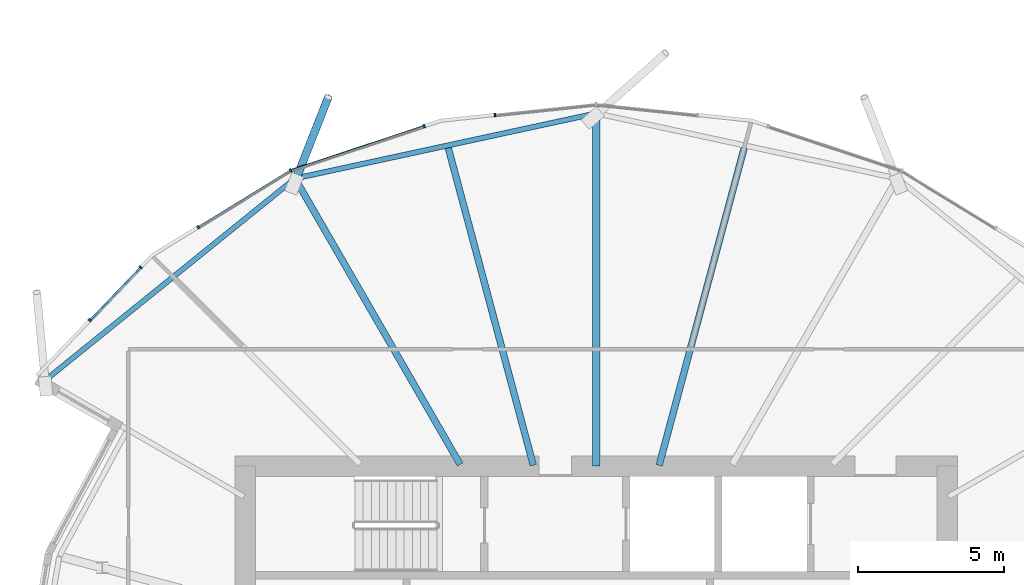
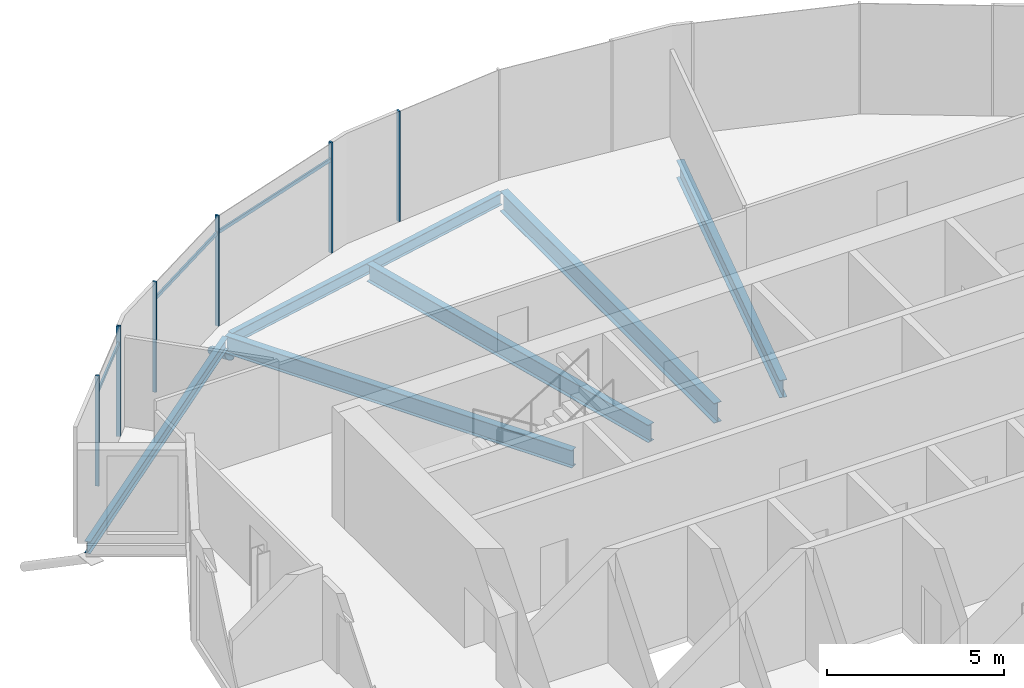
# One storey, part 9 of 39: 10 members, 6 beams, 1 element without a shape of its own.
"""IFC4 building model written with IfcOpenShell, lengths in metres."""

from ifc_helpers import new_model, si_unit, direction, frame, origin, origin_2d, place, context, subcontext, project, spatial, rectangle, hollow_circle, i_section, extrude, clip, halfspace, material, material_profile, profile_set, type_object, element, aggregate, save


model = new_model("IFC4")

# Units and contexts
model_context = context("Model", 3, precision=1e-05, world=origin(), true_north=direction((0.0, 1.0)))
body_context = subcontext(model_context, "Body", "Model", "MODEL_VIEW")
ifc_project = project(units=[si_unit("LENGTHUNIT", "METRE"), si_unit("AREAUNIT", "SQUARE_METRE"), si_unit("VOLUMEUNIT", "CUBIC_METRE"), si_unit("PLANEANGLEUNIT", "RADIAN"), si_unit("MASSUNIT", "GRAM", prefix="KILO")], contexts=[model_context])

# Site, building, storey
site_placement = place(None, origin())
site = spatial("IfcSite", under=ifc_project, at=site_placement, CompositionType="ELEMENT")
building_placement = place(site_placement, origin())
building = spatial("IfcBuilding", under=site, at=building_placement, Name="Rimbun Link Towers", CompositionType="ELEMENT")
storey_placement = place(building_placement, frame((0.0, 0.0, 139.199951171875)))
storey = spatial("IfcBuildingStorey", under=building, at=storey_placement, Name="L33", CompositionType="ELEMENT", Elevation=139.199951171875)

# Curtain wall, members
ifc_material_1 = material(Name="Aluminium 6063-T6 and low-iron glass", Category="aluminium")
curtain_wall_type = type_object("IfcCurtainWallType", Name="CW4 link block wall", PredefinedType="NOTDEFINED", material=ifc_material_1)
curtain_wall_placement = place(storey_placement, origin())
curtain_wall = element("IfcCurtainWall", 1, at=curtain_wall_placement, inside=storey, type_object=curtain_wall_type, Name="CW4 L33 T1", PredefinedType="NOTDEFINED")
ifc_material_2 = material(Name="Aluminium 6063-T6", Category="aluminium")
ifc_material_profile_1 = material_profile(ifc_material_2, rectangle(XDim=0.1201171875, YDim=0.06005859375, at=origin_2d()), Name="MULLION 60X120")
ifc_profile_set_1 = profile_set([ifc_material_profile_1], Name="Aluminium 6063-T6")
member_type_1 = type_object("IfcMemberType", Name="CW4 mullion 60X120", PredefinedType="MULLION", material=ifc_profile_set_1)
member_1_placement = place(storey_placement, frame((-35.21044921875, 20.011474609375, 0.0), z_axis=(0.0, 0.0, 1.0), x_axis=(-0.104745411125, 0.994499069305, 0.0)))
member_1 = element("IfcMember", 2, at=member_1_placement, type_object=member_type_1, Name="CW4 mullion", PredefinedType="MULLION", context=body_context, shape_type="SweptSolid", body=[
    extrude(rectangle(XDim=0.1201171875, YDim=0.06005859375, at=origin_2d()), origin(), (0.0, 0.0, 1.0), 3.800048828125),
])
member_2_placement = place(storey_placement, frame((-42.20068359375, 18.11181640625, 0.0), z_axis=(0.0, 0.0, 1.0), x_axis=(-0.421697332152, 0.906736654192, 0.0)))
member_2 = element("IfcMember", 3, at=member_2_placement, type_object=member_type_1, Name="CW4 mullion", PredefinedType="MULLION", context=body_context, shape_type="SweptSolid", body=[
    extrude(rectangle(XDim=0.1201171875, YDim=0.06005859375, at=origin_2d()), origin(), (0.0, 0.0, 1.0), 3.800048828125),
])
member_3_placement = place(storey_placement, frame((-37.632568359375, 19.626220703125, 0.0), z_axis=(0.0, 0.0, 1.0), x_axis=(-0.314567961741, 0.949234953763, 0.0)))
member_3 = element("IfcMember", 4, at=member_3_placement, type_object=member_type_1, Name="CW4 mullion", PredefinedType="MULLION", context=body_context, shape_type="SweptSolid", body=[
    extrude(rectangle(XDim=0.1201171875, YDim=0.06005859375, at=origin_2d()), origin(), (0.0, 0.0, 1.0), 3.800048828125),
])
member_4_placement = place(storey_placement, frame((-45.359130859375, 16.17333984375, 0.0), z_axis=(0.0, 0.0, 1.0), x_axis=(-0.523225378089, 0.852194346217, 0.0)))
member_4 = element("IfcMember", 5, at=member_4_placement, type_object=member_type_1, Name="CW4 mullion", PredefinedType="MULLION", context=body_context, shape_type="SweptSolid", body=[
    extrude(rectangle(XDim=0.1201171875, YDim=0.06005859375, at=origin_2d()), origin(), (0.0, 0.0, 1.0), 3.800048828125),
])
member_5_placement = place(storey_placement, frame((-49.066162109375, 12.98583984375, 0.0), z_axis=(0.0, 0.0, 1.0), x_axis=(-0.721858090698, 0.692041109252, 0.0)))
member_5 = element("IfcMember", 6, at=member_5_placement, type_object=member_type_1, Name="CW4 mullion", PredefinedType="MULLION", context=body_context, shape_type="SweptSolid", body=[
    extrude(rectangle(XDim=0.1201171875, YDim=0.06005859375, at=origin_2d()), origin(), (0.0, 0.0, 1.0), 3.800048828125),
])
member_6_placement = place(storey_placement, frame((-47.328125, 14.798583984375, 0.0), z_axis=(0.0, 0.0, 1.0), x_axis=(-0.721858090698, 0.692041109252, 0.0)))
member_6 = element("IfcMember", 7, at=member_6_placement, type_object=member_type_1, Name="CW4 mullion", PredefinedType="MULLION", context=body_context, shape_type="SweptSolid", body=[
    extrude(rectangle(XDim=0.1201171875, YDim=0.06005859375, at=origin_2d()), origin(), (0.0, 0.0, 1.0), 3.800048828125),
])
ifc_material_3 = material(Name="Aluminium 6063-T6", Category="aluminium")
ifc_material_profile_2 = material_profile(ifc_material_3, rectangle(XDim=0.06005859375, YDim=0.1201171875, at=origin_2d()), Name="TRANSOM 60X120")
ifc_profile_set_2 = profile_set([ifc_material_profile_2], Name="Aluminium 6063-T6")
member_type_2 = type_object("IfcMemberType", Name="CW4 transom 60X120", PredefinedType="USERDEFINED", material=ifc_profile_set_2)
member_7_placement = place(storey_placement, frame((-42.165283203125, 18.1220703125, 3.199951171875), z_axis=(0.949232304469, 0.314575956093, 0.0), x_axis=(-0.314575956093, 0.949232304469, 0.0)))
member_7 = element("IfcMember", 8, at=member_7_placement, type_object=member_type_2, Name="CW4 transom", ObjectType="TRANSOM", PredefinedType="USERDEFINED", context=body_context, shape_type="SweptSolid", body=[
    extrude(rectangle(XDim=0.06005859375, YDim=0.1201171875, at=origin_2d()), origin(), (0.0, 0.0, 1.0), 4.745849609375),
])
member_8_placement = place(storey_placement, frame((-45.33251953125, 16.187255859375, 3.199951171875), z_axis=(0.852185396319, 0.523239954802, 0.0), x_axis=(-0.523239954802, 0.852185396319, 0.0)))
member_8 = element("IfcMember", 9, at=member_8_placement, type_object=member_type_2, Name="CW4 transom", ObjectType="TRANSOM", PredefinedType="USERDEFINED", context=body_context, shape_type="SweptSolid", body=[
    extrude(rectangle(XDim=0.06005859375, YDim=0.1201171875, at=origin_2d()), origin(), (0.0, 0.0, 1.0), 3.638916015625),
])
member_9_placement = place(storey_placement, frame((-49.0439453125, 13.006103515625, 3.199951171875), z_axis=(0.692061088361, 0.721838936313, 0.0), x_axis=(-0.721838936313, 0.692061088361, 0.0)))
member_9 = element("IfcMember", 10, at=member_9_placement, type_object=member_type_2, Name="CW4 transom", ObjectType="TRANSOM", PredefinedType="USERDEFINED", context=body_context, shape_type="SweptSolid", body=[
    extrude(rectangle(XDim=0.06005859375, YDim=0.1201171875, at=origin_2d()), origin(), (0.0, 0.0, 1.0), 2.451416015625),
])
aggregate(curtain_wall, [member_1, member_2, member_3, member_4, member_5, member_6, member_7, member_8, member_9])

# Member
ifc_material_4 = material(Name="Steel S355J2H", Category="steel")
ifc_material_profile_3 = material_profile(ifc_material_4, hollow_circle(Radius=0.136474609375, WallThickness=0.012451171875, at=origin_2d()), Name="CHS 273x12.5")
ifc_profile_set_3 = profile_set([ifc_material_profile_3], Name="Steel S355J2H")
member_type_3 = type_object("IfcMemberType", Name="Floor edge link CHS 273x12.5", PredefinedType="BRACE", material=ifc_profile_set_3)
member_10_placement = place(storey_placement, frame((-42.02294921875, 17.793212890625, -0.89794921875), z_axis=(0.308584727435, 0.78422385655, -0.538301410747), x_axis=(-0.930550735506, 0.366162980994, 0.0)))
element("IfcMember", 11, at=member_10_placement, inside=storey, type_object=member_type_3, Name="Floor edge link T1 L33 08", PredefinedType="BRACE", context=body_context, shape_type="Clipping", body=[
    clip(extrude(hollow_circle(Radius=0.136474609375, WallThickness=0.012451171875, at=origin_2d()), frame((0.0, 0.0, -0.44580078125)), (0.0, 0.0, 1.0), 4.0615234375), halfspace(frame((0.0, 0.0, -0.210693359375), z_axis=(0.0, 0.8427523902, -0.538301410747)), False)),
])

# Beams
ifc_material_5 = material(Name="Steel S355J2", Category="steel")
ifc_material_profile_4 = material_profile(ifc_material_5, i_section(OverallWidth=0.177978515625, OverallDepth=0.406494140625, WebThickness=0.0078125, FlangeThickness=0.0126953125, at=origin_2d()), Name="UB 406x178x60")
ifc_profile_set_4 = profile_set([ifc_material_profile_4], Name="Steel S355J2")
beam_type_1 = type_object("IfcBeamType", Name="UB 406x178x60", PredefinedType="BEAM", material=ifc_profile_set_4)
beam_1_placement = place(storey_placement, frame((-31.877685546875, 20.03662109375, -0.383056640625), z_axis=(-0.977388184386, -0.211452919162, 0.0), x_axis=(0.211452919162, -0.977388184386, 0.0)))
element("IfcBeam", 12, at=beam_1_placement, inside=storey, type_object=beam_type_1, Name="Edge beam T1 L33 06-08", PredefinedType="BEAM", context=body_context, shape_type="SweptSolid", body=[
    extrude(i_section(OverallWidth=0.177978515625, OverallDepth=0.406494140625, WebThickness=0.0078125, FlangeThickness=0.0126953125, at=origin_2d()), origin(), (0.0, 0.0, 1.0), 10.28515625),
])
beam_2_placement = place(storey_placement, frame((-42.13818359375, 17.763427734375, -0.383056640625), z_axis=(-0.77798655313, -0.628280926934, 0.0), x_axis=(0.628280926934, -0.77798655313, 0.0)))
element("IfcBeam", 13, at=beam_2_placement, inside=storey, type_object=beam_type_1, Name="Edge beam T1 L33 08-10", PredefinedType="BEAM", context=body_context, shape_type="SweptSolid", body=[
    extrude(i_section(OverallWidth=0.177978515625, OverallDepth=0.406494140625, WebThickness=0.0078125, FlangeThickness=0.0126953125, at=origin_2d()), origin(), (0.0, 0.0, 1.0), 10.82373046875),
])
ifc_material_6 = material(Name="Steel S355J2", Category="steel")
ifc_material_profile_5 = material_profile(ifc_material_6, i_section(OverallWidth=0.2275390625, OverallDepth=0.6025390625, WebThickness=0.010498046875, FlangeThickness=0.014892578125, at=origin_2d()), Name="UB 610x229x101")
ifc_profile_set_5 = profile_set([ifc_material_profile_5], Name="Steel S355J2")
beam_type_2 = type_object("IfcBeamType", Name="UB 610x229x101", PredefinedType="BEAM", material=ifc_profile_set_5)
for number, where, z_axis, x_axis, name in (
    (14, (-29.598388671875, 8.030517578125, -0.481201171875), (0.258834246174, 0.965921753046, 0.0), (-0.965921753046, 0.258834246174, 0.0), "Radial beam T1 L33 05"),
    (15, (-33.901611328125, 8.030517578125, -0.481201171875), (-0.258834246174, 0.965921753046, 0.0), (-0.965921753046, -0.258834246174, 0.0), "Radial beam T1 L33 07"),
):
    element("IfcBeam", number, at=place(storey_placement, frame(where, z_axis=z_axis, x_axis=x_axis)), inside=storey, type_object=beam_type_2, Name=name, PredefinedType="BEAM", context=body_context, shape_type="SweptSolid", body=[
        extrude(i_section(OverallWidth=0.2275390625, OverallDepth=0.6025390625, WebThickness=0.010498046875, FlangeThickness=0.014892578125, at=origin_2d()), origin(), (0.0, 0.0, 1.0), 11.230224609375),
    ])
beam_3_placement = place(storey_placement, frame((-36.402099609375, 8.057861328125, -0.481201171875), z_axis=(-0.500006319009, 0.866021755472, 0.0), x_axis=(-0.866021755472, -0.500006319009, 0.0)))
element("IfcBeam", 16, at=beam_3_placement, inside=storey, type_object=beam_type_2, Name="Radial beam T1 L33 08", PredefinedType="BEAM", context=body_context, shape_type="SweptSolid", body=[
    extrude(i_section(OverallWidth=0.2275390625, OverallDepth=0.6025390625, WebThickness=0.010498046875, FlangeThickness=0.014892578125, at=origin_2d()), origin(), (0.0, 0.0, 1.0), 11.291259765625),
])
ifc_material_7 = material(Name="Steel S355J2", Category="steel")
ifc_material_profile_6 = material_profile(ifc_material_7, i_section(OverallWidth=0.253662109375, OverallDepth=0.68359375, WebThickness=0.012451171875, FlangeThickness=0.01904296875, at=origin_2d()), Name="UB 686x254x140")
ifc_profile_set_6 = profile_set([ifc_material_profile_6], Name="Steel S355J2")
beam_type_3 = type_object("IfcBeamType", Name="UB 686x254x140", PredefinedType="BEAM", material=ifc_profile_set_6)
beam_4_placement = place(storey_placement, frame((-31.75, 8.0009765625, -0.521728515625), z_axis=(0.0, 1.0, 0.0), x_axis=(-1.0, 0.0, 0.0)))
element("IfcBeam", 17, at=beam_4_placement, inside=storey, type_object=beam_type_3, Name="Radial beam T1 L33 06", PredefinedType="BEAM", context=body_context, shape_type="SweptSolid", body=[
    extrude(i_section(OverallWidth=0.253662109375, OverallDepth=0.68359375, WebThickness=0.012451171875, FlangeThickness=0.01904296875, at=origin_2d()), origin(), (0.0, 0.0, 1.0), 12.063232421875),
])

save(model, "model.ifc")
